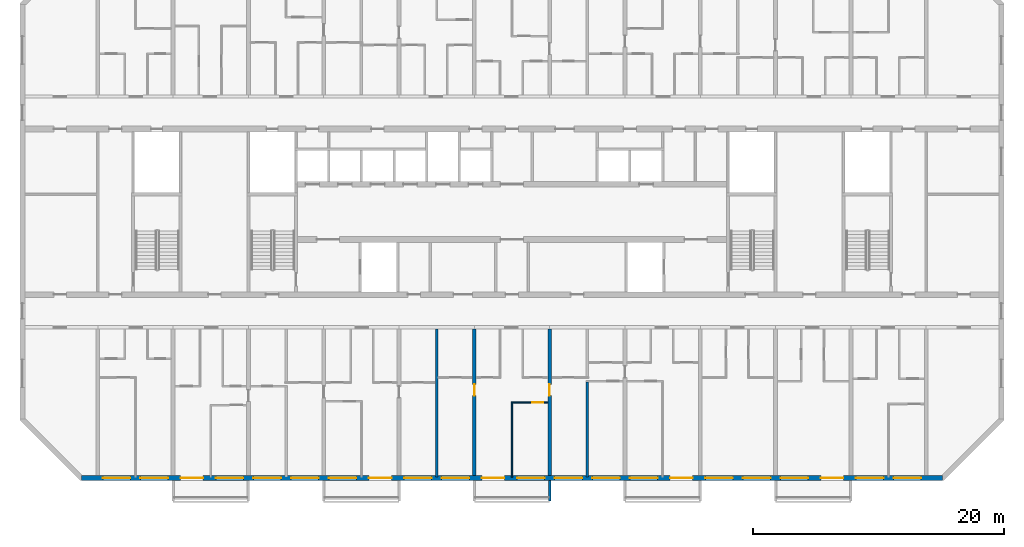
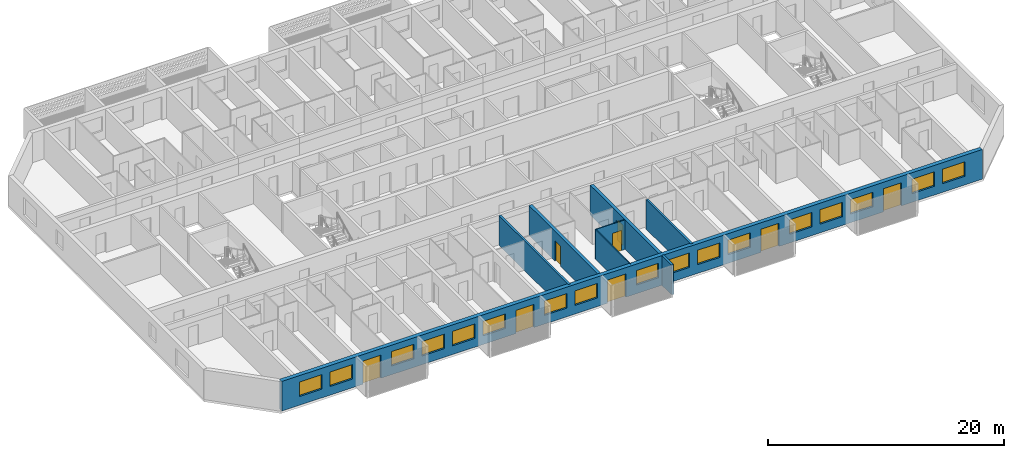
# One storey, part 4 of 32: 17 windows, 8 doors, 8 walls, 25 openings.
"""IFC4 building model written with IfcOpenShell, lengths in metres."""

import ifcopenshell
import ifcopenshell.guid

model = None  # the IFC model being written
_history = None  # IfcOwnerHistory: only IFC2X3 demands one
_inside = {}  # id of a spatial element -> (the spatial element, [elements in it])
_under = {}  # id of a project, library or spatial element -> (it, [spatial elements below it])
_declared = {}  # id of a project -> (the project, [libraries it declares])
_typed = {}  # id of a type object -> (the type object, [elements of that type])
_made_of = {}  # id of a material, layer set ... -> (it, [elements and type objects made of it])


def new_model(schema):
    """Start an empty IFC model of exactly this schema.

    Asked for "IFC4X3", IfcOpenShell would pick the latest addendum, in which some entities
    have other attributes; the version numbers below select the first issue.
    IFC2X3 requires an IfcOwnerHistory on every rooted entity: one is made here for all.
    """
    global model, _history
    if schema == "IFC4X3":
        model = ifcopenshell.file(schema_version=(4, 3, 0, 0))
    else:
        model = ifcopenshell.file(schema=schema)
    _inside.clear()
    _under.clear()
    _declared.clear()
    _typed.clear()
    _made_of.clear()
    _history = None
    if model.schema == "IFC2X3":
        org = make("IfcOrganization", Name="unknown")
        user = make(
            "IfcPersonAndOrganization",
            ThePerson=make("IfcPerson", FamilyName="unknown"),
            TheOrganization=org,
        )
        app = make(
            "IfcApplication",
            ApplicationDeveloper=org,
            Version="unknown",
            ApplicationFullName="unknown",
            ApplicationIdentifier="unknown",
        )
        _history = make(
            "IfcOwnerHistory",
            OwningUser=user,
            OwningApplication=app,
            ChangeAction="ADDED",
            CreationDate=0,
        )
    return model


def make(cls, **values):
    """One entity of the class cls with the attributes given. An attribute that is None is left unset."""
    return model.create_entity(
        cls, **{name: value for name, value in values.items() if value is not None}
    )


def rooted(cls, **values):
    """An entity with a GlobalId (a new one), such as an element, a storey or a relation."""
    return make(cls, GlobalId=ifcopenshell.guid.new(), OwnerHistory=_history, **values)


def si_unit(unit_type, name, prefix=None):
    """IfcSIUnit, for example si_unit("LENGTHUNIT", "METRE", prefix="MILLI")."""
    return make("IfcSIUnit", UnitType=unit_type, Prefix=prefix, Name=name)


def assignment(units):
    """IfcUnitAssignment: the units of a project."""
    return None if units is None else make("IfcUnitAssignment", Units=units)


def point(xyz):
    """IfcCartesianPoint."""
    return None if xyz is None else make("IfcCartesianPoint", Coordinates=xyz)


def direction(xyz):
    """IfcDirection."""
    return None if xyz is None else make("IfcDirection", DirectionRatios=xyz)


def frame(location, z_axis=None, x_axis=None):
    """IfcAxis2Placement3D, a coordinate frame: its origin and axes. An axis left out is left unset."""
    return make(
        "IfcAxis2Placement3D",
        Location=point(location),
        Axis=direction(z_axis),
        RefDirection=direction(x_axis),
    )


def frame_2d(location, x_axis=None):
    """IfcAxis2Placement2D, a coordinate frame in the plane: its origin and x axis."""
    return make(
        "IfcAxis2Placement2D", Location=point(location), RefDirection=direction(x_axis)
    )


def origin():
    """The frame at (0, 0, 0) with its axes left unset."""
    return frame((0.0, 0.0, 0.0))


def place(relative_to, where):
    """IfcLocalPlacement: puts the frame where relative to a parent placement (None: the world)."""
    return make(
        "IfcLocalPlacement", PlacementRelTo=relative_to, RelativePlacement=where
    )


def context(
    kind, dimensions, precision=None, world=None, true_north=None, identifier=None
):
    """IfcGeometricRepresentationContext, for example the 3D "Model" context."""
    return make(
        "IfcGeometricRepresentationContext",
        ContextIdentifier=identifier,
        ContextType=kind,
        CoordinateSpaceDimension=dimensions,
        Precision=precision,
        WorldCoordinateSystem=world,
        TrueNorth=true_north,
    )


def subcontext(parent, identifier, kind, view, scale=None):
    """IfcGeometricRepresentationSubContext, for example "Body" below "Model"."""
    return make(
        "IfcGeometricRepresentationSubContext",
        ContextIdentifier=identifier,
        ContextType=kind,
        ParentContext=parent,
        TargetScale=scale,
        TargetView=view,
    )


def project(units=None, contexts=None):
    """IfcProject with its units and contexts."""
    return rooted(
        "IfcProject",
        Name="project",
        RepresentationContexts=contexts,
        UnitsInContext=assignment(units),
    )


def spatial(cls, under=None, at=None, **own):
    """A site, building, storey or space (cls), placed at a placement, below another one or the project."""
    s = rooted(cls, ObjectPlacement=at, **own)
    if under is not None:
        _under.setdefault(under.id(), (under, []))[1].append(s)
    return s


def polyline(points):
    """IfcPolyline through the points."""
    return make("IfcPolyline", Points=[point(p) for p in points])


def profile(cls, at=None, kind="AREA", **sizes):
    """A parametric profile (cls). Its sizes go by their IFC names, for example OverallWidth=200.0."""
    return make(cls, ProfileType=kind, Position=at, **sizes)


def rectangle(**sizes):
    """IfcRectangleProfileDef."""
    return profile("IfcRectangleProfileDef", **sizes)


def outline(outer, holes=None, kind="AREA"):
    """IfcArbitraryClosedProfileDef: a profile drawn as a closed curve; with holes, ...WithVoids."""
    if holes is None:
        return make("IfcArbitraryClosedProfileDef", ProfileType=kind, OuterCurve=outer)
    return make(
        "IfcArbitraryProfileDefWithVoids",
        ProfileType=kind,
        OuterCurve=outer,
        InnerCurves=holes,
    )


def extrude(swept, where, along, depth):
    """IfcExtrudedAreaSolid: the profile swept, set in the frame where, extruded along a direction by depth."""
    return make(
        "IfcExtrudedAreaSolid",
        SweptArea=swept,
        Position=where,
        ExtrudedDirection=direction(along),
        Depth=depth,
    )


def shape(context_of_items, identifier, shape_type, items):
    """IfcShapeRepresentation: the items that make up one representation, for example the "Body"."""
    return make(
        "IfcShapeRepresentation",
        ContextOfItems=context_of_items,
        RepresentationIdentifier=identifier,
        RepresentationType=shape_type,
        Items=items,
    )


def source(mapping_origin, context_of_items, identifier, shape_type, items):
    """IfcRepresentationMap: a shape defined once, which mapped items show again and again."""
    return make(
        "IfcRepresentationMap",
        MappingOrigin=mapping_origin,
        MappedRepresentation=shape(context_of_items, identifier, shape_type, items),
    )


def transform(
    local_origin,
    x_axis=None,
    y_axis=None,
    z_axis=None,
    scale=None,
    scale2=None,
    scale3=None,
    uniform=True,
):
    """IfcCartesianTransformationOperator3D, or its non-uniform kind. x_axis, y_axis, z_axis: its Axis1, 2, 3."""
    if uniform:
        return make(
            "IfcCartesianTransformationOperator3D",
            Axis1=direction(x_axis),
            Axis2=direction(y_axis),
            LocalOrigin=point(local_origin),
            Scale=scale,
            Axis3=direction(z_axis),
        )
    return make(
        "IfcCartesianTransformationOperator3DnonUniform",
        Axis1=direction(x_axis),
        Axis2=direction(y_axis),
        LocalOrigin=point(local_origin),
        Scale=scale,
        Axis3=direction(z_axis),
        Scale2=scale2,
        Scale3=scale3,
    )


def mapped(mapping_source, mapping_target):
    """IfcMappedItem: shows the shape of a source again, moved by a transform."""
    return make(
        "IfcMappedItem", MappingSource=mapping_source, MappingTarget=mapping_target
    )


def material(Name=None, Category=None):
    """IfcMaterial."""
    return make("IfcMaterial", Name=Name, Category=Category)


def layer(
    of_material, thickness, ventilated=None, Name=None, Category=None, Priority=None
):
    """IfcMaterialLayer: one layer of a wall or slab, of a material (None: an air gap)."""
    return make(
        "IfcMaterialLayer",
        Material=of_material,
        LayerThickness=thickness,
        IsVentilated=ventilated,
        Name=Name,
        Category=Category,
        Priority=Priority,
    )


def layer_set(layers, Name=None):
    """IfcMaterialLayerSet."""
    return make("IfcMaterialLayerSet", MaterialLayers=layers, LayerSetName=Name)


def made_of(thing, what):
    """Note that an element or type object is made of a material, layer set ...; save() writes the relation."""
    if what is not None:
        _made_of.setdefault(what.id(), (what, []))[1].append(thing)
    return thing


def type_object(cls, material=None, **own):
    """A type object (cls), such as IfcWallType, which elements share."""
    return made_of(rooted(cls, **own), material)


def element(
    cls,
    number,
    at=None,
    inside=None,
    cuts=None,
    type_object=None,
    material=None,
    context=None,
    identifier="Body",
    shape_type=None,
    held_by="IfcProductDefinitionShape",
    body=None,
    shapes=None,
    **own,
):
    """One element of the class cls, such as IfcWall. Its Tag is "e" and its number.

    at: its placement. inside: the storey or other place that contains it. cuts: it is an
    opening in that element (IfcRelVoidsElement). A single representation is given by context,
    identifier, shape_type and body (its items); several are given by shapes. held_by: the class
    of the entity that holds the representations. save() writes the other relations.
    """
    e = rooted(cls, Tag="e%d" % number, ObjectPlacement=at, **own)
    if body is not None:
        shapes = [shape(context, identifier, shape_type, body)]
    if shapes is not None:
        e.Representation = make(held_by, Representations=shapes)
    if inside is not None:
        _inside.setdefault(inside.id(), (inside, []))[1].append(e)
    if cuts is not None:
        rooted(
            "IfcRelVoidsElement", RelatingBuildingElement=cuts, RelatedOpeningElement=e
        )
    if type_object is not None:
        _typed.setdefault(type_object.id(), (type_object, []))[1].append(e)
    return made_of(e, material)


def fill(opening, filler):
    """IfcRelFillsElement: the door or window that sits in an opening."""
    return rooted(
        "IfcRelFillsElement",
        RelatingOpeningElement=opening,
        RelatedBuildingElement=filler,
    )


def aggregate(whole, parts):
    """IfcRelAggregates: a whole, such as a stair, and the parts it consists of."""
    return rooted("IfcRelAggregates", RelatingObject=whole, RelatedObjects=parts)


def save(model, path):
    """Write the relations noted so far, then the file.

    IfcRelAggregates (storeys below a building ...), IfcRelContainedInSpatialStructure (elements
    in a storey), IfcRelDefinesByType, IfcRelAssociatesMaterial and IfcRelDeclares: one each for
    every whole, place, type object, material and project.
    """
    for whole, parts in _under.values():
        aggregate(whole, parts)
    for where, things in _inside.values():
        rooted(
            "IfcRelContainedInSpatialStructure",
            RelatedElements=things,
            RelatingStructure=where,
        )
    for kind, things in _typed.values():
        rooted("IfcRelDefinesByType", RelatedObjects=things, RelatingType=kind)
    for what, things in _made_of.values():
        rooted("IfcRelAssociatesMaterial", RelatedObjects=things, RelatingMaterial=what)
    for by, libraries in _declared.values():
        rooted("IfcRelDeclares", RelatingContext=by, RelatedDefinitions=libraries)
    model.write(path)


model = new_model("IFC4")

# Units and contexts
model_context = context("Model", 3, precision=1e-05, world=origin(), true_north=direction((0.0, 1.0)))
body_context = subcontext(model_context, "Body", "Model", "MODEL_VIEW")
ifc_project = project(units=[si_unit("LENGTHUNIT", "METRE"), si_unit("AREAUNIT", "SQUARE_METRE"), si_unit("VOLUMEUNIT", "CUBIC_METRE"), si_unit("PLANEANGLEUNIT", "RADIAN"), si_unit("MASSUNIT", "GRAM", prefix="KILO")], contexts=[model_context])

# Site, building, storey
site_placement = place(None, origin())
site = spatial("IfcSite", under=ifc_project, at=site_placement, CompositionType="ELEMENT")
building_placement = place(site_placement, origin())
building = spatial("IfcBuilding", under=site, at=building_placement, Name="Poui Terraces", CompositionType="ELEMENT")
storey_placement = place(building_placement, frame((0.0, 0.0, 152.10009765625)))
storey = spatial("IfcBuildingStorey", under=building, at=storey_placement, Name="L42", CompositionType="ELEMENT", Elevation=152.10009765625)

# Wall, opening, door
ifc_material_1 = material(Name="Concrete 65 MPa", Category="concrete")
ifc_layer_1 = layer(ifc_material_1, 0.300048828125)
ifc_layer_set_1 = layer_set([ifc_layer_1], Name="Concrete 65 MPa")
wall_type_1 = type_object("IfcWallType", Name="CROSS WALL 300 65MPa", PredefinedType="SHEAR", material=ifc_layer_set_1)
wall_1_placement = place(storey_placement, frame((48.0, 0.199951171875, 0.0), z_axis=(0.0, 0.0, 1.0), x_axis=(0.0, 1.0, 0.0)))
wall_1 = element("IfcWall", 1, at=wall_1_placement, inside=storey, type_object=wall_type_1, Name="CROSS WALL LINE 9 SOUTH", PredefinedType="SHEAR", context=body_context, shape_type="SweptSolid", body=[
    extrude(rectangle(XDim=11.675048828125, YDim=0.300048828125, at=frame_2d((5.83740234375, 0.0))), origin(), (0.0, 0.0, 1.0), 3.06982421875),
])
opening_1_placement = place(wall_1_placement, frame((6.35009765625, 0.0, 0.0)))
opening_1 = element("IfcOpeningElement", 2, at=opening_1_placement, cuts=wall_1, Name="Opening D90", PredefinedType="OPENING", context=body_context, shape_type="SweptSolid", body=[
    extrude(rectangle(XDim=0.89990234375, YDim=2.10009765625, at=frame_2d((0.449951171875, 1.050048828125))), frame((0.0, 0.16015625, 0.0), z_axis=(0.0, -1.0, 0.0), x_axis=(1.0, 0.0, 0.0)), (0.0, 0.0, 1.0), 0.320068359375),
])
ifc_material_2 = material(Name="Solid core timber door", Category="wood")
door_type_1 = type_object("IfcDoorType", Name="INTERNAL DOOR 900 X 2100", OperationType="NOTDEFINED", PredefinedType="DOOR", material=ifc_material_2)
door_1_placement = place(opening_1_placement, origin())
door_1 = element("IfcDoor", 3, at=door_1_placement, inside=storey, type_object=door_type_1, Name="INTERNAL DOOR 095", OperationType="SINGLE_SWING_RIGHT", OverallHeight=2.10009765625, OverallWidth=0.89990234375, PredefinedType="DOOR", context=body_context, shape_type="SweptSolid", body=[
    extrude(rectangle(XDim=0.89990234375, YDim=2.10009765625, at=frame_2d((0.449951171875, 1.050048828125))), frame((0.0, 0.02490234375, 0.0), z_axis=(0.0, -1.0, 0.0), x_axis=(1.0, 0.0, 0.0)), (0.0, 0.0, 1.0), 0.050048828125),
])
fill(opening_1, door_1)

wall_2_placement = place(storey_placement, frame((54.0, 0.199951171875, 0.0), z_axis=(0.0, 0.0, 1.0), x_axis=(0.0, 1.0, 0.0)))
wall_2 = element("IfcWall", 4, at=wall_2_placement, inside=storey, type_object=wall_type_1, Name="CROSS WALL LINE 10 SOUTH", PredefinedType="SHEAR", context=body_context, shape_type="SweptSolid", body=[
    extrude(rectangle(XDim=11.675048828125, YDim=0.300048828125, at=frame_2d((5.83740234375, 0.0))), origin(), (0.0, 0.0, 1.0), 3.06982421875),
])
opening_2_placement = place(wall_2_placement, frame((6.35009765625, 0.0, 0.0)))
opening_2 = element("IfcOpeningElement", 5, at=opening_2_placement, cuts=wall_2, Name="Opening D90", PredefinedType="OPENING", context=body_context, shape_type="SweptSolid", body=[
    extrude(rectangle(XDim=0.89990234375, YDim=2.10009765625, at=frame_2d((0.449951171875, 1.050048828125))), frame((0.0, 0.16015625, 0.0), z_axis=(0.0, -1.0, 0.0), x_axis=(1.0, 0.0, 0.0)), (0.0, 0.0, 1.0), 0.320068359375),
])
door_2_placement = place(opening_2_placement, frame((0.89990234375, 0.0, 0.0), z_axis=(0.0, 0.0, 1.0), x_axis=(-1.0, 0.0, 0.0)))
door_2 = element("IfcDoor", 6, at=door_2_placement, inside=storey, type_object=door_type_1, Name="INTERNAL DOOR 100", OperationType="SINGLE_SWING_LEFT", OverallHeight=2.10009765625, OverallWidth=0.89990234375, PredefinedType="DOOR", context=body_context, shape_type="SweptSolid", body=[
    extrude(rectangle(XDim=0.89990234375, YDim=2.10009765625, at=frame_2d((0.449951171875, 1.050048828125))), frame((0.0, 0.02490234375, 0.0), z_axis=(0.0, -1.0, 0.0), x_axis=(1.0, 0.0, 0.0)), (0.0, 0.0, 1.0), 0.050048828125),
])
fill(opening_2, door_2)

# Wall, openings, doors, windows
ifc_material_3 = material(Name="Precast concrete 40 MPa", Category="concrete")
ifc_layer_2 = layer(ifc_material_3, 0.39990234375)
ifc_layer_set_2 = layer_set([ifc_layer_2], Name="Precast concrete 40 MPa")
wall_type_2 = type_object("IfcWallType", Name="EXTERNAL WALL 400", PredefinedType="STANDARD", material=ifc_layer_set_2)
wall_3_placement = place(storey_placement, frame((16.682861328125, 0.0, 0.0), z_axis=(0.0, 0.0, 1.0), x_axis=(1.0, 0.0, 0.0)))
wall_3 = element("IfcWall", 7, at=wall_3_placement, inside=storey, type_object=wall_type_2, Name="EXTERNAL WALL S", PredefinedType="STANDARD", context=body_context, shape_type="SweptSolid", body=[
    extrude(rectangle(XDim=68.63427734375, YDim=0.39990234375, at=frame_2d((34.317138671875, 0.0))), origin(), (0.0, 0.0, 1.0), 3.06982421875),
])
opening_3_placement = place(wall_3_placement, frame((1.71728515625, 0.0, 0.89990234375)))
opening_3 = element("IfcOpeningElement", 8, at=opening_3_placement, cuts=wall_3, Name="Opening W1", PredefinedType="OPENING", context=body_context, shape_type="SweptSolid", body=[
    extrude(rectangle(XDim=2.199951171875, YDim=1.5, at=frame_2d((1.10009765625, 0.75))), frame((0.0, 0.2099609375, 0.0), z_axis=(0.0, -1.0, 0.0), x_axis=(1.0, 0.0, 0.0)), (0.0, 0.0, 1.0), 0.419921875),
])
opening_4_placement = place(wall_3_placement, frame((4.71728515625, 0.0, 0.89990234375)))
opening_4 = element("IfcOpeningElement", 9, at=opening_4_placement, cuts=wall_3, Name="Opening W1", PredefinedType="OPENING", context=body_context, shape_type="SweptSolid", body=[
    extrude(rectangle(XDim=2.199951171875, YDim=1.5, at=frame_2d((1.10009765625, 0.75))), frame((0.0, 0.2099609375, 0.0), z_axis=(0.0, -1.0, 0.0), x_axis=(1.0, 0.0, 0.0)), (0.0, 0.0, 1.0), 0.419921875),
])
opening_5_placement = place(wall_3_placement, frame((7.917236328125, 0.0, 0.0)))
opening_5 = element("IfcOpeningElement", 10, at=opening_5_placement, cuts=wall_3, Name="Opening BD1", PredefinedType="OPENING", context=body_context, shape_type="SweptSolid", body=[
    extrude(rectangle(XDim=1.800048828125, YDim=2.39990234375, at=frame_2d((0.89990234375, 1.199951171875))), frame((0.0, 0.2099609375, 0.0), z_axis=(0.0, -1.0, 0.0), x_axis=(1.0, 0.0, 0.0)), (0.0, 0.0, 1.0), 0.419921875),
])
opening_6_placement = place(wall_3_placement, frame((10.71728515625, 0.0, 0.89990234375)))
opening_6 = element("IfcOpeningElement", 11, at=opening_6_placement, cuts=wall_3, Name="Opening W1", PredefinedType="OPENING", context=body_context, shape_type="SweptSolid", body=[
    extrude(rectangle(XDim=2.199951171875, YDim=1.5, at=frame_2d((1.10009765625, 0.75))), frame((0.0, 0.2099609375, 0.0), z_axis=(0.0, -1.0, 0.0), x_axis=(1.0, 0.0, 0.0)), (0.0, 0.0, 1.0), 0.419921875),
])
opening_7_placement = place(wall_3_placement, frame((13.71728515625, 0.0, 0.89990234375)))
opening_7 = element("IfcOpeningElement", 12, at=opening_7_placement, cuts=wall_3, Name="Opening W1", PredefinedType="OPENING", context=body_context, shape_type="SweptSolid", body=[
    extrude(rectangle(XDim=2.199951171875, YDim=1.5, at=frame_2d((1.10009765625, 0.75))), frame((0.0, 0.2099609375, 0.0), z_axis=(0.0, -1.0, 0.0), x_axis=(1.0, 0.0, 0.0)), (0.0, 0.0, 1.0), 0.419921875),
])
opening_8_placement = place(wall_3_placement, frame((16.71728515625, 0.0, 0.89990234375)))
opening_8 = element("IfcOpeningElement", 13, at=opening_8_placement, cuts=wall_3, Name="Opening W1", PredefinedType="OPENING", context=body_context, shape_type="SweptSolid", body=[
    extrude(rectangle(XDim=2.199951171875, YDim=1.5, at=frame_2d((1.10009765625, 0.75))), frame((0.0, 0.2099609375, 0.0), z_axis=(0.0, -1.0, 0.0), x_axis=(1.0, 0.0, 0.0)), (0.0, 0.0, 1.0), 0.419921875),
])
opening_9_placement = place(wall_3_placement, frame((19.71728515625, 0.0, 0.89990234375)))
opening_9 = element("IfcOpeningElement", 14, at=opening_9_placement, cuts=wall_3, Name="Opening W1", PredefinedType="OPENING", context=body_context, shape_type="SweptSolid", body=[
    extrude(rectangle(XDim=2.199951171875, YDim=1.5, at=frame_2d((1.10009765625, 0.75))), frame((0.0, 0.2099609375, 0.0), z_axis=(0.0, -1.0, 0.0), x_axis=(1.0, 0.0, 0.0)), (0.0, 0.0, 1.0), 0.419921875),
])
opening_10_placement = place(wall_3_placement, frame((22.917236328125, 0.0, 0.0)))
opening_10 = element("IfcOpeningElement", 15, at=opening_10_placement, cuts=wall_3, Name="Opening BD1", PredefinedType="OPENING", context=body_context, shape_type="SweptSolid", body=[
    extrude(rectangle(XDim=1.800048828125, YDim=2.39990234375, at=frame_2d((0.89990234375, 1.199951171875))), frame((0.0, 0.2099609375, 0.0), z_axis=(0.0, -1.0, 0.0), x_axis=(1.0, 0.0, 0.0)), (0.0, 0.0, 1.0), 0.419921875),
])
opening_11_placement = place(wall_3_placement, frame((25.71728515625, 0.0, 0.89990234375)))
opening_11 = element("IfcOpeningElement", 16, at=opening_11_placement, cuts=wall_3, Name="Opening W1", PredefinedType="OPENING", context=body_context, shape_type="SweptSolid", body=[
    extrude(rectangle(XDim=2.199951171875, YDim=1.5, at=frame_2d((1.10009765625, 0.75))), frame((0.0, 0.2099609375, 0.0), z_axis=(0.0, -1.0, 0.0), x_axis=(1.0, 0.0, 0.0)), (0.0, 0.0, 1.0), 0.419921875),
])
opening_12_placement = place(wall_3_placement, frame((28.71728515625, 0.0, 0.89990234375)))
opening_12 = element("IfcOpeningElement", 17, at=opening_12_placement, cuts=wall_3, Name="Opening W1", PredefinedType="OPENING", context=body_context, shape_type="SweptSolid", body=[
    extrude(rectangle(XDim=2.199951171875, YDim=1.5, at=frame_2d((1.10009765625, 0.75))), frame((0.0, 0.2099609375, 0.0), z_axis=(0.0, -1.0, 0.0), x_axis=(1.0, 0.0, 0.0)), (0.0, 0.0, 1.0), 0.419921875),
])
opening_13_placement = place(wall_3_placement, frame((31.917236328125, 0.0, 0.0)))
opening_13 = element("IfcOpeningElement", 18, at=opening_13_placement, cuts=wall_3, Name="Opening BD1", PredefinedType="OPENING", context=body_context, shape_type="SweptSolid", body=[
    extrude(rectangle(XDim=1.800048828125, YDim=2.39990234375, at=frame_2d((0.89990234375, 1.199951171875))), frame((0.0, 0.2099609375, 0.0), z_axis=(0.0, -1.0, 0.0), x_axis=(1.0, 0.0, 0.0)), (0.0, 0.0, 1.0), 0.419921875),
])
opening_14_placement = place(wall_3_placement, frame((34.71728515625, 0.0, 0.89990234375)))
opening_14 = element("IfcOpeningElement", 19, at=opening_14_placement, cuts=wall_3, Name="Opening W1", PredefinedType="OPENING", context=body_context, shape_type="SweptSolid", body=[
    extrude(rectangle(XDim=2.199951171875, YDim=1.5, at=frame_2d((1.10009765625, 0.75))), frame((0.0, 0.2099609375, 0.0), z_axis=(0.0, -1.0, 0.0), x_axis=(1.0, 0.0, 0.0)), (0.0, 0.0, 1.0), 0.419921875),
])
opening_15_placement = place(wall_3_placement, frame((37.71728515625, 0.0, 0.89990234375)))
opening_15 = element("IfcOpeningElement", 20, at=opening_15_placement, cuts=wall_3, Name="Opening W1", PredefinedType="OPENING", context=body_context, shape_type="SweptSolid", body=[
    extrude(rectangle(XDim=2.199951171875, YDim=1.5, at=frame_2d((1.10009765625, 0.75))), frame((0.0, 0.2099609375, 0.0), z_axis=(0.0, -1.0, 0.0), x_axis=(1.0, 0.0, 0.0)), (0.0, 0.0, 1.0), 0.419921875),
])
opening_16_placement = place(wall_3_placement, frame((40.71728515625, 0.0, 0.89990234375)))
opening_16 = element("IfcOpeningElement", 21, at=opening_16_placement, cuts=wall_3, Name="Opening W1", PredefinedType="OPENING", context=body_context, shape_type="SweptSolid", body=[
    extrude(rectangle(XDim=2.199951171875, YDim=1.5, at=frame_2d((1.10009765625, 0.75))), frame((0.0, 0.2099609375, 0.0), z_axis=(0.0, -1.0, 0.0), x_axis=(1.0, 0.0, 0.0)), (0.0, 0.0, 1.0), 0.419921875),
])
opening_17_placement = place(wall_3_placement, frame((43.71728515625, 0.0, 0.89990234375)))
opening_17 = element("IfcOpeningElement", 22, at=opening_17_placement, cuts=wall_3, Name="Opening W1", PredefinedType="OPENING", context=body_context, shape_type="SweptSolid", body=[
    extrude(rectangle(XDim=2.199951171875, YDim=1.5, at=frame_2d((1.10009765625, 0.75))), frame((0.0, 0.2099609375, 0.0), z_axis=(0.0, -1.0, 0.0), x_axis=(1.0, 0.0, 0.0)), (0.0, 0.0, 1.0), 0.419921875),
])
opening_18_placement = place(wall_3_placement, frame((46.917236328125, 0.0, 0.0)))
opening_18 = element("IfcOpeningElement", 23, at=opening_18_placement, cuts=wall_3, Name="Opening BD1", PredefinedType="OPENING", context=body_context, shape_type="SweptSolid", body=[
    extrude(rectangle(XDim=1.800048828125, YDim=2.39990234375, at=frame_2d((0.89990234375, 1.199951171875))), frame((0.0, 0.2099609375, 0.0), z_axis=(0.0, -1.0, 0.0), x_axis=(1.0, 0.0, 0.0)), (0.0, 0.0, 1.0), 0.419921875),
])
opening_19_placement = place(wall_3_placement, frame((49.71728515625, 0.0, 0.89990234375)))
opening_19 = element("IfcOpeningElement", 24, at=opening_19_placement, cuts=wall_3, Name="Opening W1", PredefinedType="OPENING", context=body_context, shape_type="SweptSolid", body=[
    extrude(rectangle(XDim=2.199951171875, YDim=1.5, at=frame_2d((1.10009765625, 0.75))), frame((0.0, 0.2099609375, 0.0), z_axis=(0.0, -1.0, 0.0), x_axis=(1.0, 0.0, 0.0)), (0.0, 0.0, 1.0), 0.419921875),
])
opening_20_placement = place(wall_3_placement, frame((52.71728515625, 0.0, 0.89990234375)))
opening_20 = element("IfcOpeningElement", 25, at=opening_20_placement, cuts=wall_3, Name="Opening W1", PredefinedType="OPENING", context=body_context, shape_type="SweptSolid", body=[
    extrude(rectangle(XDim=2.199951171875, YDim=1.5, at=frame_2d((1.10009765625, 0.75))), frame((0.0, 0.2099609375, 0.0), z_axis=(0.0, -1.0, 0.0), x_axis=(1.0, 0.0, 0.0)), (0.0, 0.0, 1.0), 0.419921875),
])
opening_21_placement = place(wall_3_placement, frame((55.71728515625, 0.0, 0.89990234375)))
opening_21 = element("IfcOpeningElement", 26, at=opening_21_placement, cuts=wall_3, Name="Opening W1", PredefinedType="OPENING", context=body_context, shape_type="SweptSolid", body=[
    extrude(rectangle(XDim=2.199951171875, YDim=1.5, at=frame_2d((1.10009765625, 0.75))), frame((0.0, 0.2099609375, 0.0), z_axis=(0.0, -1.0, 0.0), x_axis=(1.0, 0.0, 0.0)), (0.0, 0.0, 1.0), 0.419921875),
])
opening_22_placement = place(wall_3_placement, frame((58.917236328125, 0.0, 0.0)))
opening_22 = element("IfcOpeningElement", 27, at=opening_22_placement, cuts=wall_3, Name="Opening BD1", PredefinedType="OPENING", context=body_context, shape_type="SweptSolid", body=[
    extrude(rectangle(XDim=1.800048828125, YDim=2.39990234375, at=frame_2d((0.89990234375, 1.199951171875))), frame((0.0, 0.2099609375, 0.0), z_axis=(0.0, -1.0, 0.0), x_axis=(1.0, 0.0, 0.0)), (0.0, 0.0, 1.0), 0.419921875),
])
opening_23_placement = place(wall_3_placement, frame((61.71728515625, 0.0, 0.89990234375)))
opening_23 = element("IfcOpeningElement", 28, at=opening_23_placement, cuts=wall_3, Name="Opening W1", PredefinedType="OPENING", context=body_context, shape_type="SweptSolid", body=[
    extrude(rectangle(XDim=2.199951171875, YDim=1.5, at=frame_2d((1.10009765625, 0.75))), frame((0.0, 0.2099609375, 0.0), z_axis=(0.0, -1.0, 0.0), x_axis=(1.0, 0.0, 0.0)), (0.0, 0.0, 1.0), 0.419921875),
])
opening_24_placement = place(wall_3_placement, frame((64.71728515625, 0.0, 0.89990234375)))
opening_24 = element("IfcOpeningElement", 29, at=opening_24_placement, cuts=wall_3, Name="Opening W1", PredefinedType="OPENING", context=body_context, shape_type="SweptSolid", body=[
    extrude(rectangle(XDim=2.199951171875, YDim=1.5, at=frame_2d((1.10009765625, 0.75))), frame((0.0, 0.2099609375, 0.0), z_axis=(0.0, -1.0, 0.0), x_axis=(1.0, 0.0, 0.0)), (0.0, 0.0, 1.0), 0.419921875),
])
ifc_material_4 = material(Name="Clear glass in aluminium frame", Category="aluminium")
door_type_2 = type_object("IfcDoorType", Name="BALCONY DOOR 1800X2400", OperationType="DOUBLE_DOOR_SLIDING", PredefinedType="DOOR", material=ifc_material_4)
door_3_placement = place(opening_5_placement, origin())
door_3 = element("IfcDoor", 30, at=door_3_placement, inside=storey, type_object=door_type_2, Name="BD1 BALCONY DOOR", OperationType="DOUBLE_DOOR_SLIDING", OverallHeight=2.39990234375, OverallWidth=1.800048828125, PredefinedType="DOOR", context=body_context, shape_type="SweptSolid", body=[
    extrude(rectangle(XDim=1.800048828125, YDim=2.39990234375, at=frame_2d((0.89990234375, 1.199951171875))), frame((0.0, 0.02490234375, 0.0), z_axis=(0.0, -1.0, 0.0), x_axis=(1.0, 0.0, 0.0)), (0.0, 0.0, 1.0), 0.050048828125),
])
fill(opening_5, door_3)
door_4_placement = place(opening_10_placement, origin())
door_4 = element("IfcDoor", 31, at=door_4_placement, inside=storey, type_object=door_type_2, Name="BD1 BALCONY DOOR", OperationType="DOUBLE_DOOR_SLIDING", OverallHeight=2.39990234375, OverallWidth=1.800048828125, PredefinedType="DOOR", context=body_context, shape_type="SweptSolid", body=[
    extrude(rectangle(XDim=1.800048828125, YDim=2.39990234375, at=frame_2d((0.89990234375, 1.199951171875))), frame((0.0, 0.02490234375, 0.0), z_axis=(0.0, -1.0, 0.0), x_axis=(1.0, 0.0, 0.0)), (0.0, 0.0, 1.0), 0.050048828125),
])
fill(opening_10, door_4)
door_5_placement = place(opening_13_placement, origin())
door_5 = element("IfcDoor", 32, at=door_5_placement, inside=storey, type_object=door_type_2, Name="BD1 BALCONY DOOR", OperationType="DOUBLE_DOOR_SLIDING", OverallHeight=2.39990234375, OverallWidth=1.800048828125, PredefinedType="DOOR", context=body_context, shape_type="SweptSolid", body=[
    extrude(rectangle(XDim=1.800048828125, YDim=2.39990234375, at=frame_2d((0.89990234375, 1.199951171875))), frame((0.0, 0.02490234375, 0.0), z_axis=(0.0, -1.0, 0.0), x_axis=(1.0, 0.0, 0.0)), (0.0, 0.0, 1.0), 0.050048828125),
])
fill(opening_13, door_5)
door_6_placement = place(opening_18_placement, origin())
door_6 = element("IfcDoor", 33, at=door_6_placement, inside=storey, type_object=door_type_2, Name="BD1 BALCONY DOOR", OperationType="DOUBLE_DOOR_SLIDING", OverallHeight=2.39990234375, OverallWidth=1.800048828125, PredefinedType="DOOR", context=body_context, shape_type="SweptSolid", body=[
    extrude(rectangle(XDim=1.800048828125, YDim=2.39990234375, at=frame_2d((0.89990234375, 1.199951171875))), frame((0.0, 0.02490234375, 0.0), z_axis=(0.0, -1.0, 0.0), x_axis=(1.0, 0.0, 0.0)), (0.0, 0.0, 1.0), 0.050048828125),
])
fill(opening_18, door_6)
door_7_placement = place(opening_22_placement, origin())
door_7 = element("IfcDoor", 34, at=door_7_placement, inside=storey, type_object=door_type_2, Name="BD1 BALCONY DOOR", OperationType="DOUBLE_DOOR_SLIDING", OverallHeight=2.39990234375, OverallWidth=1.800048828125, PredefinedType="DOOR", context=body_context, shape_type="SweptSolid", body=[
    extrude(rectangle(XDim=1.800048828125, YDim=2.39990234375, at=frame_2d((0.89990234375, 1.199951171875))), frame((0.0, 0.02490234375, 0.0), z_axis=(0.0, -1.0, 0.0), x_axis=(1.0, 0.0, 0.0)), (0.0, 0.0, 1.0), 0.050048828125),
])
fill(opening_22, door_7)
window_type = type_object("IfcWindowType", Name="WINDOW 2200X1500", PartitioningType="DOUBLE_PANEL_HORIZONTAL", PredefinedType="WINDOW", material=ifc_material_4)
window_1_placement = place(opening_3_placement, origin())
window_1 = element("IfcWindow", 35, at=window_1_placement, inside=storey, type_object=window_type, Name="W1 WINDOW", OverallHeight=1.5, OverallWidth=2.199951171875, PartitioningType="DOUBLE_PANEL_HORIZONTAL", PredefinedType="WINDOW", context=body_context, shape_type="SweptSolid", body=[
    extrude(rectangle(XDim=2.199951171875, YDim=1.5, at=frame_2d((1.10009765625, 0.75))), frame((0.0, 0.030029296875, 0.0), z_axis=(0.0, -1.0, 0.0), x_axis=(1.0, 0.0, 0.0)), (0.0, 0.0, 1.0), 0.06005859375),
])
fill(opening_3, window_1)
window_2_placement = place(opening_4_placement, origin())
window_2 = element("IfcWindow", 36, at=window_2_placement, inside=storey, type_object=window_type, Name="W1 WINDOW", OverallHeight=1.5, OverallWidth=2.199951171875, PartitioningType="DOUBLE_PANEL_HORIZONTAL", PredefinedType="WINDOW", context=body_context, shape_type="SweptSolid", body=[
    extrude(rectangle(XDim=2.199951171875, YDim=1.5, at=frame_2d((1.10009765625, 0.75))), frame((0.0, 0.030029296875, 0.0), z_axis=(0.0, -1.0, 0.0), x_axis=(1.0, 0.0, 0.0)), (0.0, 0.0, 1.0), 0.06005859375),
])
fill(opening_4, window_2)
window_3_placement = place(opening_6_placement, origin())
window_3 = element("IfcWindow", 37, at=window_3_placement, inside=storey, type_object=window_type, Name="W1 WINDOW", OverallHeight=1.5, OverallWidth=2.199951171875, PartitioningType="DOUBLE_PANEL_HORIZONTAL", PredefinedType="WINDOW", context=body_context, shape_type="SweptSolid", body=[
    extrude(rectangle(XDim=2.199951171875, YDim=1.5, at=frame_2d((1.10009765625, 0.75))), frame((0.0, 0.030029296875, 0.0), z_axis=(0.0, -1.0, 0.0), x_axis=(1.0, 0.0, 0.0)), (0.0, 0.0, 1.0), 0.06005859375),
])
fill(opening_6, window_3)
window_4_placement = place(opening_7_placement, origin())
window_4 = element("IfcWindow", 38, at=window_4_placement, inside=storey, type_object=window_type, Name="W1 WINDOW", OverallHeight=1.5, OverallWidth=2.199951171875, PartitioningType="DOUBLE_PANEL_HORIZONTAL", PredefinedType="WINDOW", context=body_context, shape_type="SweptSolid", body=[
    extrude(rectangle(XDim=2.199951171875, YDim=1.5, at=frame_2d((1.10009765625, 0.75))), frame((0.0, 0.030029296875, 0.0), z_axis=(0.0, -1.0, 0.0), x_axis=(1.0, 0.0, 0.0)), (0.0, 0.0, 1.0), 0.06005859375),
])
fill(opening_7, window_4)
window_5_placement = place(opening_8_placement, origin())
window_5 = element("IfcWindow", 39, at=window_5_placement, inside=storey, type_object=window_type, Name="W1 WINDOW", OverallHeight=1.5, OverallWidth=2.199951171875, PartitioningType="DOUBLE_PANEL_HORIZONTAL", PredefinedType="WINDOW", context=body_context, shape_type="SweptSolid", body=[
    extrude(rectangle(XDim=2.199951171875, YDim=1.5, at=frame_2d((1.10009765625, 0.75))), frame((0.0, 0.030029296875, 0.0), z_axis=(0.0, -1.0, 0.0), x_axis=(1.0, 0.0, 0.0)), (0.0, 0.0, 1.0), 0.06005859375),
])
fill(opening_8, window_5)
window_6_placement = place(opening_9_placement, origin())
window_6 = element("IfcWindow", 40, at=window_6_placement, inside=storey, type_object=window_type, Name="W1 WINDOW", OverallHeight=1.5, OverallWidth=2.199951171875, PartitioningType="DOUBLE_PANEL_HORIZONTAL", PredefinedType="WINDOW", context=body_context, shape_type="SweptSolid", body=[
    extrude(rectangle(XDim=2.199951171875, YDim=1.5, at=frame_2d((1.10009765625, 0.75))), frame((0.0, 0.030029296875, 0.0), z_axis=(0.0, -1.0, 0.0), x_axis=(1.0, 0.0, 0.0)), (0.0, 0.0, 1.0), 0.06005859375),
])
fill(opening_9, window_6)
window_7_placement = place(opening_11_placement, origin())
window_7 = element("IfcWindow", 41, at=window_7_placement, inside=storey, type_object=window_type, Name="W1 WINDOW", OverallHeight=1.5, OverallWidth=2.199951171875, PartitioningType="DOUBLE_PANEL_HORIZONTAL", PredefinedType="WINDOW", context=body_context, shape_type="SweptSolid", body=[
    extrude(rectangle(XDim=2.199951171875, YDim=1.5, at=frame_2d((1.10009765625, 0.75))), frame((0.0, 0.030029296875, 0.0), z_axis=(0.0, -1.0, 0.0), x_axis=(1.0, 0.0, 0.0)), (0.0, 0.0, 1.0), 0.06005859375),
])
fill(opening_11, window_7)
window_8_placement = place(opening_12_placement, origin())
window_8 = element("IfcWindow", 42, at=window_8_placement, inside=storey, type_object=window_type, Name="W1 WINDOW", OverallHeight=1.5, OverallWidth=2.199951171875, PartitioningType="DOUBLE_PANEL_HORIZONTAL", PredefinedType="WINDOW", context=body_context, shape_type="SweptSolid", body=[
    extrude(rectangle(XDim=2.199951171875, YDim=1.5, at=frame_2d((1.10009765625, 0.75))), frame((0.0, 0.030029296875, 0.0), z_axis=(0.0, -1.0, 0.0), x_axis=(1.0, 0.0, 0.0)), (0.0, 0.0, 1.0), 0.06005859375),
])
fill(opening_12, window_8)
window_9_placement = place(opening_14_placement, origin())
window_9 = element("IfcWindow", 43, at=window_9_placement, inside=storey, type_object=window_type, Name="W1 WINDOW", OverallHeight=1.5, OverallWidth=2.199951171875, PartitioningType="DOUBLE_PANEL_HORIZONTAL", PredefinedType="WINDOW", context=body_context, shape_type="SweptSolid", body=[
    extrude(rectangle(XDim=2.199951171875, YDim=1.5, at=frame_2d((1.10009765625, 0.75))), frame((0.0, 0.030029296875, 0.0), z_axis=(0.0, -1.0, 0.0), x_axis=(1.0, 0.0, 0.0)), (0.0, 0.0, 1.0), 0.06005859375),
])
fill(opening_14, window_9)
window_10_placement = place(opening_15_placement, origin())
window_10 = element("IfcWindow", 44, at=window_10_placement, inside=storey, type_object=window_type, Name="W1 WINDOW", OverallHeight=1.5, OverallWidth=2.199951171875, PartitioningType="DOUBLE_PANEL_HORIZONTAL", PredefinedType="WINDOW", context=body_context, shape_type="SweptSolid", body=[
    extrude(rectangle(XDim=2.199951171875, YDim=1.5, at=frame_2d((1.10009765625, 0.75))), frame((0.0, 0.030029296875, 0.0), z_axis=(0.0, -1.0, 0.0), x_axis=(1.0, 0.0, 0.0)), (0.0, 0.0, 1.0), 0.06005859375),
])
fill(opening_15, window_10)
window_11_placement = place(opening_16_placement, origin())
window_11 = element("IfcWindow", 45, at=window_11_placement, inside=storey, type_object=window_type, Name="W1 WINDOW", OverallHeight=1.5, OverallWidth=2.199951171875, PartitioningType="DOUBLE_PANEL_HORIZONTAL", PredefinedType="WINDOW", context=body_context, shape_type="SweptSolid", body=[
    extrude(rectangle(XDim=2.199951171875, YDim=1.5, at=frame_2d((1.10009765625, 0.75))), frame((0.0, 0.030029296875, 0.0), z_axis=(0.0, -1.0, 0.0), x_axis=(1.0, 0.0, 0.0)), (0.0, 0.0, 1.0), 0.06005859375),
])
fill(opening_16, window_11)
window_12_placement = place(opening_17_placement, origin())
window_12 = element("IfcWindow", 46, at=window_12_placement, inside=storey, type_object=window_type, Name="W1 WINDOW", OverallHeight=1.5, OverallWidth=2.199951171875, PartitioningType="DOUBLE_PANEL_HORIZONTAL", PredefinedType="WINDOW", context=body_context, shape_type="SweptSolid", body=[
    extrude(rectangle(XDim=2.199951171875, YDim=1.5, at=frame_2d((1.10009765625, 0.75))), frame((0.0, 0.030029296875, 0.0), z_axis=(0.0, -1.0, 0.0), x_axis=(1.0, 0.0, 0.0)), (0.0, 0.0, 1.0), 0.06005859375),
])
fill(opening_17, window_12)
window_13_placement = place(opening_19_placement, origin())
window_13 = element("IfcWindow", 47, at=window_13_placement, inside=storey, type_object=window_type, Name="W1 WINDOW", OverallHeight=1.5, OverallWidth=2.199951171875, PartitioningType="DOUBLE_PANEL_HORIZONTAL", PredefinedType="WINDOW", context=body_context, shape_type="SweptSolid", body=[
    extrude(rectangle(XDim=2.199951171875, YDim=1.5, at=frame_2d((1.10009765625, 0.75))), frame((0.0, 0.030029296875, 0.0), z_axis=(0.0, -1.0, 0.0), x_axis=(1.0, 0.0, 0.0)), (0.0, 0.0, 1.0), 0.06005859375),
])
fill(opening_19, window_13)
window_14_placement = place(opening_20_placement, origin())
window_14 = element("IfcWindow", 48, at=window_14_placement, inside=storey, type_object=window_type, Name="W1 WINDOW", OverallHeight=1.5, OverallWidth=2.199951171875, PartitioningType="DOUBLE_PANEL_HORIZONTAL", PredefinedType="WINDOW", context=body_context, shape_type="SweptSolid", body=[
    extrude(rectangle(XDim=2.199951171875, YDim=1.5, at=frame_2d((1.10009765625, 0.75))), frame((0.0, 0.030029296875, 0.0), z_axis=(0.0, -1.0, 0.0), x_axis=(1.0, 0.0, 0.0)), (0.0, 0.0, 1.0), 0.06005859375),
])
fill(opening_20, window_14)
window_15_placement = place(opening_21_placement, origin())
window_15 = element("IfcWindow", 49, at=window_15_placement, inside=storey, type_object=window_type, Name="W1 WINDOW", OverallHeight=1.5, OverallWidth=2.199951171875, PartitioningType="DOUBLE_PANEL_HORIZONTAL", PredefinedType="WINDOW", context=body_context, shape_type="SweptSolid", body=[
    extrude(rectangle(XDim=2.199951171875, YDim=1.5, at=frame_2d((1.10009765625, 0.75))), frame((0.0, 0.030029296875, 0.0), z_axis=(0.0, -1.0, 0.0), x_axis=(1.0, 0.0, 0.0)), (0.0, 0.0, 1.0), 0.06005859375),
])
fill(opening_21, window_15)
window_16_placement = place(opening_23_placement, origin())
window_16 = element("IfcWindow", 50, at=window_16_placement, inside=storey, type_object=window_type, Name="W1 WINDOW", OverallHeight=1.5, OverallWidth=2.199951171875, PartitioningType="DOUBLE_PANEL_HORIZONTAL", PredefinedType="WINDOW", context=body_context, shape_type="SweptSolid", body=[
    extrude(rectangle(XDim=2.199951171875, YDim=1.5, at=frame_2d((1.10009765625, 0.75))), frame((0.0, 0.030029296875, 0.0), z_axis=(0.0, -1.0, 0.0), x_axis=(1.0, 0.0, 0.0)), (0.0, 0.0, 1.0), 0.06005859375),
])
fill(opening_23, window_16)
window_17_placement = place(opening_24_placement, origin())
window_17 = element("IfcWindow", 51, at=window_17_placement, inside=storey, type_object=window_type, Name="W1 WINDOW", OverallHeight=1.5, OverallWidth=2.199951171875, PartitioningType="DOUBLE_PANEL_HORIZONTAL", PredefinedType="WINDOW", context=body_context, shape_type="SweptSolid", body=[
    extrude(rectangle(XDim=2.199951171875, YDim=1.5, at=frame_2d((1.10009765625, 0.75))), frame((0.0, 0.030029296875, 0.0), z_axis=(0.0, -1.0, 0.0), x_axis=(1.0, 0.0, 0.0)), (0.0, 0.0, 1.0), 0.06005859375),
])
fill(opening_24, window_17)

# Wall, opening, door
ifc_material_5 = material(Name="Plasterboard partition")
ifc_layer_3 = layer(ifc_material_5, 0.10009765625)
ifc_layer_set_3 = layer_set([ifc_layer_3], Name="Plasterboard partition")
wall_type_3 = type_object("IfcWallType", Name="FLAT PARTITION 100", PredefinedType="PARTITIONING", material=ifc_layer_set_3)
wall_4_placement = place(storey_placement, frame((50.949951171875, 6.0, 0.0), z_axis=(0.0, 0.0, 1.0), x_axis=(1.0, 0.0, 0.0)))
wall_4 = element("IfcWall", 52, at=wall_4_placement, inside=storey, type_object=wall_type_3, Name="FLAT PARTITION 100", PredefinedType="PARTITIONING", context=body_context, shape_type="SweptSolid", body=[
    extrude(rectangle(XDim=2.89013671875, YDim=0.10009765625, at=frame_2d((1.445068359375, 0.0))), origin(), (0.0, 0.0, 1.0), 3.06982421875),
])
opening_25_placement = place(wall_4_placement, frame((1.64990234375, 0.0, 0.0)))
opening_25 = element("IfcOpeningElement", 53, at=opening_25_placement, cuts=wall_4, Name="Opening D90", PredefinedType="OPENING", context=body_context, shape_type="SweptSolid", body=[
    extrude(rectangle(XDim=0.89990234375, YDim=2.10009765625, at=frame_2d((0.449951171875, 1.050048828125))), frame((0.0, 0.06005859375, 0.0), z_axis=(0.0, -1.0, 0.0), x_axis=(1.0, 0.0, 0.0)), (0.0, 0.0, 1.0), 0.1201171875),
])
door_8_placement = place(opening_25_placement, origin())
door_8 = element("IfcDoor", 54, at=door_8_placement, inside=storey, type_object=door_type_1, Name="INTERNAL DOOR 099", OperationType="SINGLE_SWING_LEFT", OverallHeight=2.10009765625, OverallWidth=0.89990234375, PredefinedType="DOOR", context=body_context, shape_type="SweptSolid", body=[
    extrude(rectangle(XDim=0.89990234375, YDim=2.10009765625, at=frame_2d((0.449951171875, 1.050048828125))), frame((0.0, 0.02490234375, 0.0), z_axis=(0.0, -1.0, 0.0), x_axis=(1.0, 0.0, 0.0)), (0.0, 0.0, 1.0), 0.050048828125),
])
fill(opening_25, door_8)

# Walls
wall_5_placement = place(storey_placement, frame((51.0, 0.06005859375, 0.0), z_axis=(0.0, 0.0, 1.0), x_axis=(0.0, 1.0, 0.0)))
element("IfcWall", 55, at=wall_5_placement, inside=storey, type_object=wall_type_3, Name="FLAT PARTITION 100", PredefinedType="PARTITIONING", context=body_context, shape_type="SweptSolid", body=[
    extrude(rectangle(XDim=5.889892578125, YDim=0.10009765625, at=frame_2d((2.94482421875, 0.0))), origin(), (0.0, 0.0, 1.0), 3.06982421875),
])
ifc_material_6 = material(Name="Fire-rated masonry wall", Category="masonry")
ifc_layer_4 = layer(ifc_material_6, 0.199951171875)
ifc_layer_set_4 = layer_set([ifc_layer_4], Name="Fire-rated masonry wall")
wall_type_4 = type_object("IfcWallType", Name="FLAT PARTY WALL 200", PredefinedType="PARTITIONING", material=ifc_layer_set_4)
wall_6_placement = place(storey_placement, frame((45.0, 0.06005859375, 0.0), z_axis=(0.0, 0.0, 1.0), x_axis=(0.0, 1.0, 0.0)))
element("IfcWall", 56, at=wall_6_placement, inside=storey, type_object=wall_type_4, Name="FLAT PARTY WALL 200", PredefinedType="PARTITIONING", context=body_context, shape_type="SweptSolid", body=[
    extrude(rectangle(XDim=11.804931640625, YDim=0.199951171875, at=frame_2d((5.90234375, 0.0))), origin(), (0.0, 0.0, 1.0), 3.06982421875),
])
wall_7_placement = place(storey_placement, frame((57.0, 0.06005859375, 0.0), z_axis=(0.0, 0.0, 1.0), x_axis=(0.0, 1.0, 0.0)))
element("IfcWall", 57, at=wall_7_placement, inside=storey, type_object=wall_type_4, Name="FLAT PARTY WALL 200", PredefinedType="PARTITIONING", context=body_context, shape_type="SweptSolid", body=[
    extrude(rectangle(XDim=7.58984375, YDim=0.199951171875, at=frame_2d((3.794921875, 0.0))), origin(), (0.0, 0.0, 1.0), 3.06982421875),
])
ifc_layer_5 = layer(ifc_material_3, 0.199951171875)
ifc_layer_set_5 = layer_set([ifc_layer_5], Name="Precast concrete 40 MPa")
wall_type_5 = type_object("IfcWallType", Name="REAR FIN 200", PredefinedType="STANDARD", material=ifc_layer_set_5)
shared_shape = source(origin(), body_context, "Body", "SweptSolid", [
    extrude(outline(polyline([(0.0, 0.0), (0.2001953125, 0.0), (0.2001953125, 1.650146484375), (0.0, 1.650146484375), (0.0, 0.0)])), origin(), (0.0, 0.0, 1.0), 3.099853515625),
])
wall_8_placement = place(storey_placement, frame((53.89990234375, -1.85009765625, 0.0)))
element("IfcWall", 58, at=wall_8_placement, inside=storey, type_object=wall_type_5, Name="REAR FIN", PredefinedType="STANDARD", context=body_context, shape_type="MappedRepresentation", body=[
    mapped(shared_shape, transform((0.0, 0.0, 0.0))),
])

save(model, "model.ifc")
